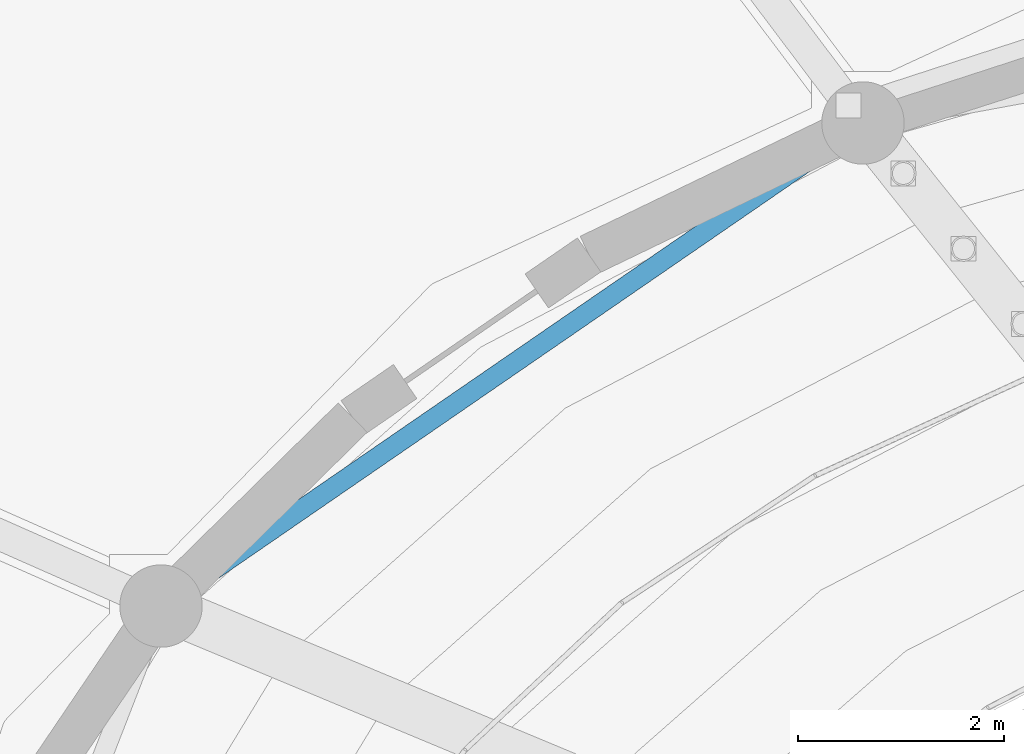
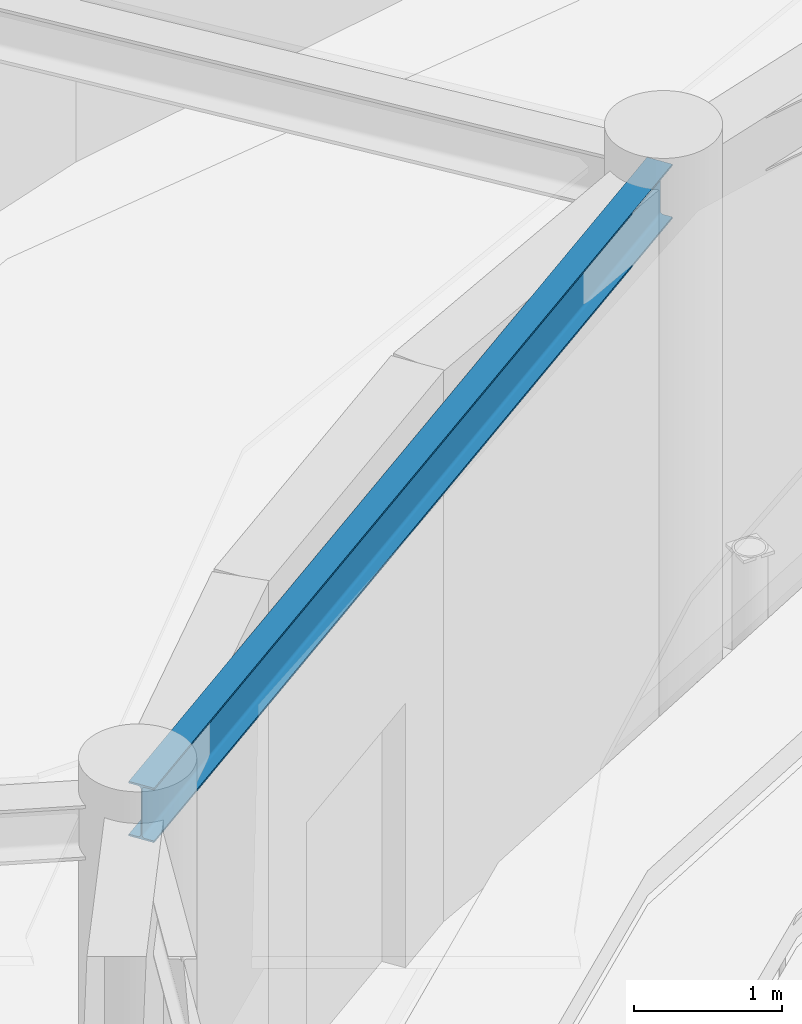
# One storey, part 32 of 100: 1 beam.
"""IFC4 building model written with IfcOpenShell, lengths in metres."""

from ifc_helpers import new_model, si_unit, direction, frame, origin, origin_2d, place, context, subcontext, project, spatial, i_section, extrude, material, material_profile, profile_set, type_object, element, save


model = new_model("IFC4")

# Units and contexts
model_context = context("Model", 3, precision=1e-05, world=origin(), true_north=direction((0.0, 1.0)))
body_context = subcontext(model_context, "Body", "Model", "MODEL_VIEW")
ifc_project = project(units=[si_unit("LENGTHUNIT", "METRE"), si_unit("AREAUNIT", "SQUARE_METRE"), si_unit("VOLUMEUNIT", "CUBIC_METRE"), si_unit("PLANEANGLEUNIT", "RADIAN"), si_unit("MASSUNIT", "GRAM", prefix="KILO")], contexts=[model_context])

# Site, building, storey
site_placement = place(None, origin())
site = spatial("IfcSite", under=ifc_project, at=site_placement, CompositionType="ELEMENT")
building_placement = place(site_placement, origin())
building = spatial("IfcBuilding", under=site, at=building_placement, Name="Tarnveldt Headland Concert Hall", CompositionType="ELEMENT")
storey_placement = place(building_placement, frame((0.0, 0.0, 4.800048828125)))
storey = spatial("IfcBuildingStorey", under=building, at=storey_placement, Name="L01", CompositionType="ELEMENT", Elevation=4.800048828125)

# Beam
ifc_material = material(Name="Steel S355", Category="steel")
ifc_material_profile = material_profile(ifc_material, i_section(OverallWidth=0.18994140625, OverallDepth=0.449951171875, WebThickness=0.009521484375, FlangeThickness=0.0146484375, FilletRadius=0.02099609375, at=origin_2d()), Name="IPE450", Category="steel")
ifc_profile_set = profile_set([ifc_material_profile], Name="Steel S355")
beam_type = type_object("IfcBeamType", Name="SB-IPE450", PredefinedType="BEAM", material=ifc_profile_set)
beam_placement = place(storey_placement, frame((74.150634765625, 65.551025390625, 4.31494140625), z_axis=(-0.823792567818, -0.566891352207, 0.0), x_axis=(0.566891352207, -0.823792567818, 0.0)))
element("IfcBeam", 1, at=beam_placement, inside=storey, type_object=beam_type, Name="Framing beam L01-741", PredefinedType="BEAM", context=body_context, shape_type="SweptSolid", body=[
    extrude(i_section(OverallWidth=0.18994140625, OverallDepth=0.449951171875, WebThickness=0.009521484375, FlangeThickness=0.0146484375, FilletRadius=0.02099609375, at=origin_2d()), origin(), (0.0, 0.0, 1.0), 8.144287109375),
])

save(model, "model.ifc")
